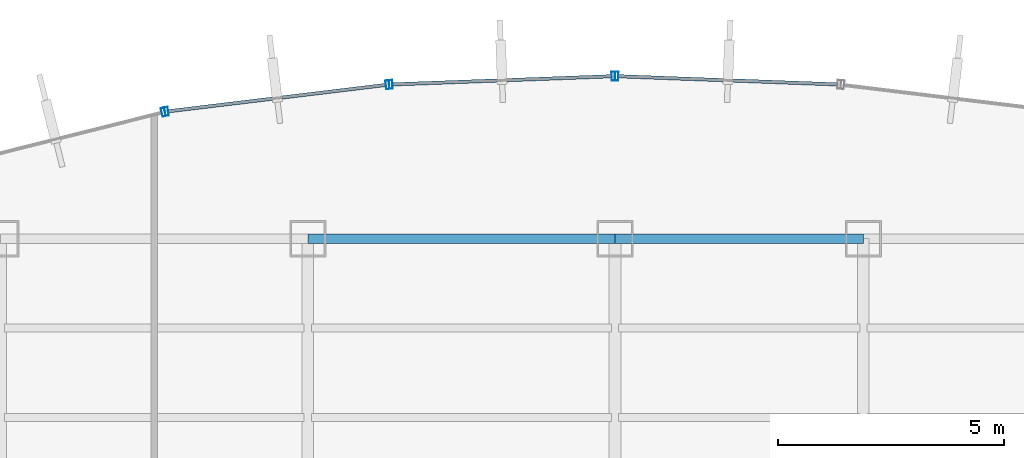
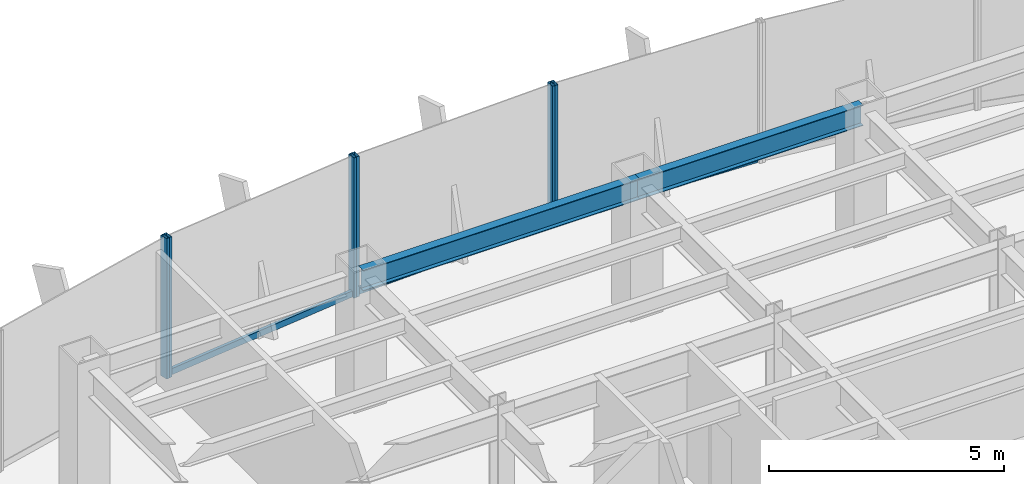
# One storey, part 16 of 26: 9 members, 2 beams, 4 elements without a shape of their own.
"""IFC4 building model written with IfcOpenShell, lengths in metres."""

from ifc_helpers import new_model, si_unit, derived_unit, direction, frame, origin, origin_2d, place, context, subcontext, project, spatial, hollow_rectangle, i_section, extrude, source, transform, mapped, material, material_profile, profile_set, type_object, element, aggregate, save


model = new_model("IFC4")

# Units and contexts
model_context = context("Model", 3, precision=1e-05, world=origin(), true_north=direction((0.0, 1.0)))
body_context = subcontext(model_context, "Body", "Model", "MODEL_VIEW")
ifc_project = project(units=[si_unit("LENGTHUNIT", "METRE"), si_unit("AREAUNIT", "SQUARE_METRE"), si_unit("VOLUMEUNIT", "CUBIC_METRE"), si_unit("PLANEANGLEUNIT", "RADIAN"), si_unit("MASSUNIT", "GRAM", prefix="KILO"), derived_unit("THERMALTRANSMITTANCEUNIT", [(si_unit("POWERUNIT", "WATT"), 1), (si_unit("LENGTHUNIT", "METRE"), -2), (si_unit("THERMODYNAMICTEMPERATUREUNIT", "KELVIN"), -1)])], contexts=[model_context])

# Site, building, storey
site_placement = place(None, origin())
site = spatial("IfcSite", under=ifc_project, at=site_placement, CompositionType="ELEMENT")
building_placement = place(site_placement, origin())
building = spatial("IfcBuilding", under=site, at=building_placement, Name="Skarnbrae Concourse Arena and Tower", CompositionType="ELEMENT")
storey_placement = place(building_placement, frame((0.0, 0.0, 95.949951171875)))
storey = spatial("IfcBuildingStorey", under=building, at=storey_placement, Name="L23", CompositionType="ELEMENT", Elevation=95.949951171875)

# Beams
ifc_material_1 = material(Name="Steel CSA G40.21 350W", Category="steel")
ifc_material_profile_1 = material_profile(ifc_material_1, i_section(OverallWidth=0.208984375, OverallDepth=0.532958984375, WebThickness=0.01025390625, FlangeThickness=0.015625, at=origin_2d()), Name="W530X92")
ifc_profile_set_1 = profile_set([ifc_material_profile_1], Name="Steel CSA G40.21 350W")
beam_type = type_object("IfcBeamType", Name="BM-SPAN-W530X92", PredefinedType="SPANDREL", material=ifc_profile_set_1)
shared_shape_1 = source(origin(), body_context, "Body", "SweptSolid", [
    extrude(i_section(OverallWidth=0.208984375, OverallDepth=0.532958984375, WebThickness=0.01025390625, FlangeThickness=0.015625, at=origin_2d()), origin(), (0.0, 0.0, 1.0), 6.800048828125),
])
beam_1_placement = place(storey_placement, frame((21.199951171875, 40.39990234375, 3.133544921875), z_axis=(1.0, 0.0, 0.0), x_axis=(0.0, 1.0, 0.0)))
element("IfcBeam", 1, at=beam_1_placement, inside=storey, type_object=beam_type, Name="L23 Perimeter spandrel Y40.4-2", PredefinedType="SPANDREL", context=body_context, shape_type="MappedRepresentation", body=[
    mapped(shared_shape_1, transform((0.0, 0.0, 0.0))),
])
shared_shape_2 = source(origin(), body_context, "Body", "SweptSolid", [
    extrude(i_section(OverallWidth=0.208984375, OverallDepth=0.532958984375, WebThickness=0.01025390625, FlangeThickness=0.015625, at=origin_2d()), origin(), (0.0, 0.0, 1.0), 5.5),
])
beam_2_placement = place(storey_placement, frame((28.0, 40.39990234375, 3.133544921875), z_axis=(1.0, 0.0, 0.0), x_axis=(0.0, 1.0, 0.0)))
element("IfcBeam", 2, at=beam_2_placement, inside=storey, type_object=beam_type, Name="L23 Perimeter spandrel Y40.4-3", PredefinedType="SPANDREL", context=body_context, shape_type="MappedRepresentation", body=[
    mapped(shared_shape_2, transform((0.0, 0.0, 0.0))),
])

# Curtain wall, member
ifc_material_2 = material(Name="Bronze anodised aluminium 6063-T6", Category="aluminium")
curtain_wall_type = type_object("IfcCurtainWallType", Name="CW-SYS-04-MIDZONE", PredefinedType="USERDEFINED", material=ifc_material_2)
curtain_wall_1_placement = place(storey_placement, origin())
curtain_wall_1 = element("IfcCurtainWall", 3, at=curtain_wall_1_placement, inside=storey, type_object=curtain_wall_type, Name="L23 Unitised curtain wall CW-L23-E11", ObjectType="UNITISED CURTAIN WALL", PredefinedType="USERDEFINED")
ifc_material_profile_2 = material_profile(ifc_material_2, hollow_rectangle(XDim=0.074951171875, YDim=0.195068359375, WallThickness=0.00439453125, at=origin_2d()), Name="ALU-MULL-75X195")
ifc_profile_set_2 = profile_set([ifc_material_profile_2], Name="Bronze anodised aluminium 6063-T6")
member_type_1 = type_object("IfcMemberType", Name="CWM-CW-04", PredefinedType="MULLION", material=ifc_profile_set_2)
shared_shape_3 = source(origin(), body_context, "Body", "SweptSolid", [
    extrude(hollow_rectangle(XDim=0.074951171875, YDim=0.195068359375, WallThickness=0.00439453125, at=origin_2d()), origin(), (0.0, 0.0, 1.0), 3.650146484375),
])
member_1_placement = place(storey_placement, frame((28.03759765625, 43.99853515625, 0.0), z_axis=(0.0, 0.0, 1.0), x_axis=(-0.999308486252, 0.037182647889, 0.0)))
member_1 = element("IfcMember", 4, at=member_1_placement, type_object=member_type_1, Name="CW-L23-E11 Mullion 2", PredefinedType="MULLION", context=body_context, shape_type="MappedRepresentation", body=[
    mapped(shared_shape_3, transform((0.0, 0.0, 0.0))),
])

# Curtain wall, members
curtain_wall_2_placement = place(storey_placement, origin())
curtain_wall_2 = element("IfcCurtainWall", 5, at=curtain_wall_2_placement, inside=storey, type_object=curtain_wall_type, Name="L23 Unitised curtain wall CW-L23-E12", ObjectType="UNITISED CURTAIN WALL", PredefinedType="USERDEFINED")
member_2_placement = place(storey_placement, frame((27.96240234375, 43.99853515625, 0.0), z_axis=(0.0, 0.0, 1.0), x_axis=(-0.999308486252, -0.037182647889, 0.0)))
member_2 = element("IfcMember", 6, at=member_2_placement, type_object=member_type_1, Name="CW-L23-E12 Mullion 1", PredefinedType="MULLION", context=body_context, shape_type="MappedRepresentation", body=[
    mapped(shared_shape_3, transform((0.0, 0.0, 0.0))),
])
member_3_placement = place(storey_placement, frame((23.03857421875, 43.8154296875, 0.0), z_axis=(0.0, 0.0, 1.0), x_axis=(-0.999308486252, -0.037182647889, 0.0)))
member_3 = element("IfcMember", 7, at=member_3_placement, type_object=member_type_1, Name="CW-L23-E12 Mullion 2", PredefinedType="MULLION", context=body_context, shape_type="MappedRepresentation", body=[
    mapped(shared_shape_3, transform((0.0, 0.0, 0.0))),
])

curtain_wall_3_placement = place(storey_placement, origin())
curtain_wall_3 = element("IfcCurtainWall", 8, at=curtain_wall_3_placement, inside=storey, type_object=curtain_wall_type, Name="L23 Unitised curtain wall CW-L23-E13", ObjectType="UNITISED CURTAIN WALL", PredefinedType="USERDEFINED")
member_4_placement = place(storey_placement, frame((22.9638671875, 43.8095703125, 0.0), z_axis=(0.0, 0.0, 1.0), x_axis=(-0.992749371969, -0.120202680731, 0.0)))
member_4 = element("IfcMember", 9, at=member_4_placement, type_object=member_type_1, Name="CW-L23-E13 Mullion 1", PredefinedType="MULLION", context=body_context, shape_type="MappedRepresentation", body=[
    mapped(shared_shape_3, transform((0.0, 0.0, 0.0))),
])
member_5_placement = place(storey_placement, frame((18.072998046875, 43.21728515625, 0.0), z_axis=(0.0, 0.0, 1.0), x_axis=(-0.992749371969, -0.120202680731, 0.0)))
member_5 = element("IfcMember", 10, at=member_5_placement, type_object=member_type_1, Name="CW-L23-E13 Mullion 2", PredefinedType="MULLION", context=body_context, shape_type="MappedRepresentation", body=[
    mapped(shared_shape_3, transform((0.0, 0.0, 0.0))),
])

# Curtain wall, member
curtain_wall_4_placement = place(storey_placement, origin())
curtain_wall_4 = element("IfcCurtainWall", 11, at=curtain_wall_4_placement, inside=storey, type_object=curtain_wall_type, Name="L23 Unitised curtain wall CW-L23-E14", ObjectType="UNITISED CURTAIN WALL", PredefinedType="USERDEFINED")
member_6_placement = place(storey_placement, frame((17.99951171875, 43.20361328125, 0.0), z_axis=(0.0, 0.0, 1.0), x_axis=(-0.969903046166, -0.243491439351, 0.0)))
member_6 = element("IfcMember", 12, at=member_6_placement, type_object=member_type_1, Name="CW-L23-E14 Mullion 1", PredefinedType="MULLION", context=body_context, shape_type="MappedRepresentation", body=[
    mapped(shared_shape_3, transform((0.0, 0.0, 0.0))),
])
aggregate(curtain_wall_4, [member_6])

# Member
ifc_material_profile_3 = material_profile(ifc_material_2, hollow_rectangle(XDim=0.074951171875, YDim=0.159912109375, WallThickness=0.00439453125, at=origin_2d()), Name="ALU-TRAN-75X160")
ifc_profile_set_3 = profile_set([ifc_material_profile_3], Name="Bronze anodised aluminium 6063-T6")
member_type_2 = type_object("IfcMemberType", Name="CWT-CW-04", PredefinedType="USERDEFINED", material=ifc_profile_set_3)
shared_shape_4 = source(origin(), body_context, "Body", "SweptSolid", [
    extrude(hollow_rectangle(XDim=0.074951171875, YDim=0.159912109375, WallThickness=0.00439453125, at=origin_2d()), origin(), (0.0, 0.0, 1.0), 4.851318359375),
])
member_7_placement = place(storey_placement, frame((22.926513671875, 43.804931640625, 0.080078125), z_axis=(-0.992746710317, -0.120224661172, 0.0), x_axis=(0.120224661172, -0.992746710317, 0.0)))
member_7 = element("IfcMember", 13, at=member_7_placement, type_object=member_type_2, Name="CW-L23-E13 Transom 1", ObjectType="TRANSOM", PredefinedType="USERDEFINED", context=body_context, shape_type="MappedRepresentation", body=[
    mapped(shared_shape_4, transform((0.0, 0.0, 0.0))),
])

aggregate(curtain_wall_3, [member_4, member_5, member_7])

shared_shape_5 = source(origin(), body_context, "Body", "SweptSolid", [
    extrude(hollow_rectangle(XDim=0.074951171875, YDim=0.159912109375, WallThickness=0.00439453125, at=origin_2d()), origin(), (0.0, 0.0, 1.0), 4.8525390625),
])
member_8_placement = place(storey_placement, frame((32.924072265625, 43.81689453125, 0.080078125), z_axis=(-0.999308547576, 0.037180999731, 0.0), x_axis=(-0.037180999731, -0.999308547576, 0.0)))
member_8 = element("IfcMember", 14, at=member_8_placement, type_object=member_type_2, Name="CW-L23-E11 Transom 1", ObjectType="TRANSOM", PredefinedType="USERDEFINED", context=body_context, shape_type="MappedRepresentation", body=[
    mapped(shared_shape_5, transform((0.0, 0.0, 0.0))),
])

aggregate(curtain_wall_1, [member_1, member_8])

member_9_placement = place(storey_placement, frame((27.925048828125, 43.997314453125, 0.080078125), z_axis=(-0.999308547576, -0.037180999731, 0.0), x_axis=(0.037180999731, -0.999308547576, 0.0)))
member_9 = element("IfcMember", 15, at=member_9_placement, type_object=member_type_2, Name="CW-L23-E12 Transom 1", ObjectType="TRANSOM", PredefinedType="USERDEFINED", context=body_context, shape_type="MappedRepresentation", body=[
    mapped(shared_shape_5, transform((0.0, 0.0, 0.0))),
])

aggregate(curtain_wall_2, [member_2, member_3, member_9])

save(model, "model.ifc")
